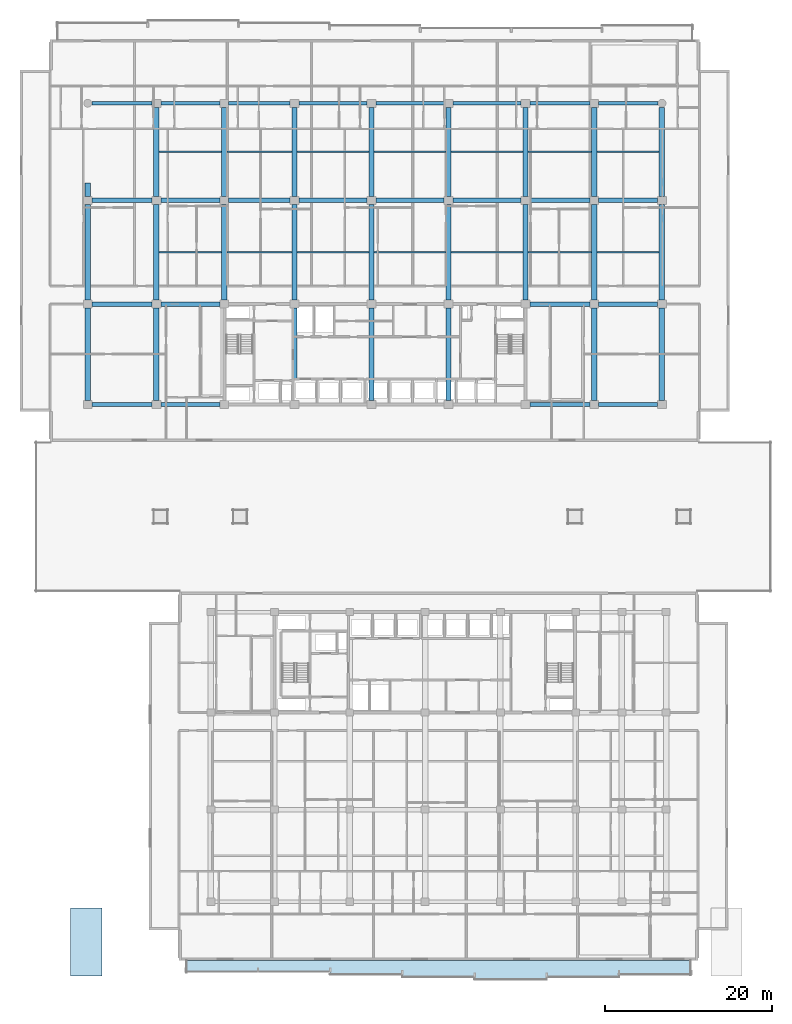
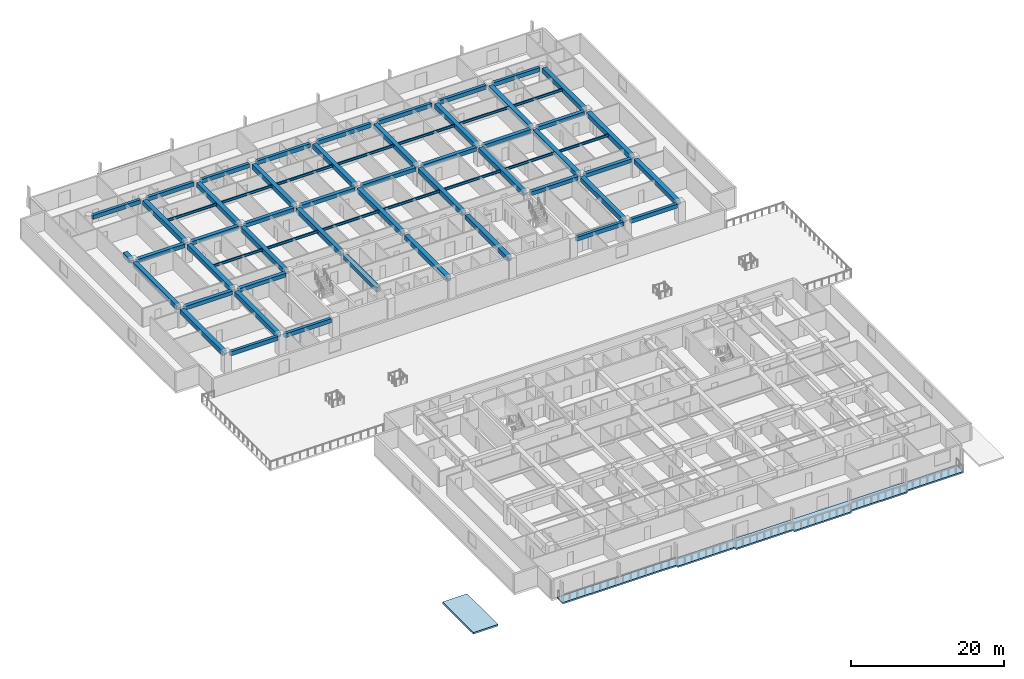
# One storey, part 2 of 24: 63 beams, 2 slabs.
"""IFC4 building model written with IfcOpenShell, lengths in metres."""

from ifc_helpers import new_model, si_unit, direction, frame, origin, origin_2d, place, context, subcontext, project, spatial, polyline, rectangle, i_section, outline, extrude, material, layer, layer_set, material_profile, profile_set, type_object, element, save


model = new_model("IFC4")

# Units and contexts
model_context = context("Model", 3, precision=1e-05, world=origin(), true_north=direction((0.0, 1.0)))
body_context = subcontext(model_context, "Body", "Model", "MODEL_VIEW")
ifc_project = project(units=[si_unit("LENGTHUNIT", "METRE"), si_unit("AREAUNIT", "SQUARE_METRE"), si_unit("VOLUMEUNIT", "CUBIC_METRE"), si_unit("PLANEANGLEUNIT", "RADIAN"), si_unit("MASSUNIT", "GRAM", prefix="KILO")], contexts=[model_context])

# Site, building, storey
site_placement = place(None, origin())
site = spatial("IfcSite", under=ifc_project, at=site_placement, CompositionType="ELEMENT")
building_placement = place(site_placement, origin())
building = spatial("IfcBuilding", under=site, at=building_placement, Name="Korimba Cascade Residences", CompositionType="ELEMENT")
storey_placement = place(building_placement, frame((0.0, 0.0, 24.0)))
storey = spatial("IfcBuildingStorey", under=building, at=storey_placement, Name="L05", CompositionType="ELEMENT", Elevation=24.0)

# Beams
ifc_material_1 = material(Name="Concrete C50/60", Category="concrete")
ifc_material_profile_1 = material_profile(ifc_material_1, rectangle(XDim=0.550048828125, YDim=0.60009765625, at=origin_2d()), Name="Concrete C50/60")
ifc_profile_set_1 = profile_set([ifc_material_profile_1], Name="Concrete C50/60")
beam_type_1 = type_object("IfcBeamType", Name="BM-RC-B600", PredefinedType="BEAM", material=ifc_profile_set_1)
beam_1_placement = place(storey_placement, frame((60.324951171875, 67.199951171875, 2.669921875), z_axis=(1.0, 0.0, 0.0), x_axis=(0.0, 1.0, 0.0)))
element("IfcBeam", 1, at=beam_1_placement, inside=storey, type_object=beam_type_1, Name="L05 T1 E-W Girder Y2 Bay 1", PredefinedType="BEAM", context=body_context, shape_type="SweptSolid", body=[
    extrude(rectangle(XDim=0.550048828125, YDim=0.60009765625, at=origin_2d()), origin(), (0.0, 0.0, 1.0), 7.150146484375),
])
beam_2_placement = place(storey_placement, frame((68.52490234375, 67.199951171875, 2.669921875), z_axis=(1.0, 0.0, 0.0), x_axis=(0.0, 1.0, 0.0)))
element("IfcBeam", 2, at=beam_2_placement, inside=storey, type_object=beam_type_1, Name="L05 T1 E-W Girder Y2 Bay 2", PredefinedType="BEAM", context=body_context, shape_type="SweptSolid", body=[
    extrude(rectangle(XDim=0.550048828125, YDim=0.60009765625, at=origin_2d()), origin(), (0.0, 0.0, 1.0), 7.050048828125),
])
beam_3_placement = place(storey_placement, frame((112.625, 67.199951171875, 2.669921875), z_axis=(1.0, 0.0, 0.0), x_axis=(0.0, 1.0, 0.0)))
element("IfcBeam", 3, at=beam_3_placement, inside=storey, type_object=beam_type_1, Name="L05 T1 E-W Girder Y2 Bay 7", PredefinedType="BEAM", context=body_context, shape_type="SweptSolid", body=[
    extrude(rectangle(XDim=0.550048828125, YDim=0.60009765625, at=origin_2d()), origin(), (0.0, 0.0, 1.0), 7.14990234375),
])
beam_4_placement = place(storey_placement, frame((120.824951171875, 67.199951171875, 2.669921875), z_axis=(1.0, 0.0, 0.0), x_axis=(0.0, 1.0, 0.0)))
element("IfcBeam", 4, at=beam_4_placement, inside=storey, type_object=beam_type_1, Name="L05 T1 E-W Girder Y2 Bay 8", PredefinedType="BEAM", context=body_context, shape_type="SweptSolid", body=[
    extrude(rectangle(XDim=0.550048828125, YDim=0.60009765625, at=origin_2d()), origin(), (0.0, 0.0, 1.0), 7.050048828125),
])
beam_5_placement = place(storey_placement, frame((60.324951171875, 79.60009765625, 2.669921875), z_axis=(1.0, 0.0, 0.0), x_axis=(0.0, 1.0, 0.0)))
element("IfcBeam", 5, at=beam_5_placement, inside=storey, type_object=beam_type_1, Name="L05 T1 E-W Girder Y3 Bay 1", PredefinedType="BEAM", context=body_context, shape_type="SweptSolid", body=[
    extrude(rectangle(XDim=0.550048828125, YDim=0.60009765625, at=origin_2d()), origin(), (0.0, 0.0, 1.0), 7.150146484375),
])
beam_6_placement = place(storey_placement, frame((68.52490234375, 79.60009765625, 2.669921875), z_axis=(1.0, 0.0, 0.0), x_axis=(0.0, 1.0, 0.0)))
element("IfcBeam", 6, at=beam_6_placement, inside=storey, type_object=beam_type_1, Name="L05 T1 E-W Girder Y3 Bay 2", PredefinedType="BEAM", context=body_context, shape_type="SweptSolid", body=[
    extrude(rectangle(XDim=0.550048828125, YDim=0.60009765625, at=origin_2d()), origin(), (0.0, 0.0, 1.0), 7.050048828125),
])
beam_7_placement = place(storey_placement, frame((76.625, 79.60009765625, 2.669921875), z_axis=(1.0, 0.0, 0.0), x_axis=(0.0, 1.0, 0.0)))
element("IfcBeam", 7, at=beam_7_placement, inside=storey, type_object=beam_type_1, Name="L05 T1 E-W Girder Y3 Bay 3", PredefinedType="BEAM", context=body_context, shape_type="SweptSolid", body=[
    extrude(rectangle(XDim=0.550048828125, YDim=0.60009765625, at=origin_2d()), origin(), (0.0, 0.0, 1.0), 7.35009765625),
])
beam_8_placement = place(storey_placement, frame((85.02490234375, 79.60009765625, 2.669921875), z_axis=(1.0, 0.0, 0.0), x_axis=(0.0, 1.0, 0.0)))
element("IfcBeam", 8, at=beam_8_placement, inside=storey, type_object=beam_type_1, Name="L05 T1 E-W Girder Y3 Bay 4", PredefinedType="BEAM", context=body_context, shape_type="SweptSolid", body=[
    extrude(rectangle(XDim=0.550048828125, YDim=0.60009765625, at=origin_2d()), origin(), (0.0, 0.0, 1.0), 8.150146484375),
])
for number, where, z_axis, x_axis, name in (
    (9, (94.22509765625, 79.60009765625, 2.669921875), (1.0, 0.0, 0.0), (0.0, 1.0, 0.0), "L05 T1 E-W Girder Y3 Bay 5"),
    (10, (103.425048828125, 79.60009765625, 2.669921875), (1.0, 0.0, 0.0), (0.0, 1.0, 0.0), "L05 T1 E-W Girder Y3 Bay 6"),
):
    element("IfcBeam", number, at=place(storey_placement, frame(where, z_axis=z_axis, x_axis=x_axis)), inside=storey, type_object=beam_type_1, Name=name, PredefinedType="BEAM", context=body_context, shape_type="SweptSolid", body=[
        extrude(rectangle(XDim=0.550048828125, YDim=0.60009765625, at=origin_2d()), origin(), (0.0, 0.0, 1.0), 8.14990234375),
    ])
beam_9_placement = place(storey_placement, frame((112.625, 79.60009765625, 2.669921875), z_axis=(1.0, 0.0, 0.0), x_axis=(0.0, 1.0, 0.0)))
element("IfcBeam", 11, at=beam_9_placement, inside=storey, type_object=beam_type_1, Name="L05 T1 E-W Girder Y3 Bay 7", PredefinedType="BEAM", context=body_context, shape_type="SweptSolid", body=[
    extrude(rectangle(XDim=0.550048828125, YDim=0.60009765625, at=origin_2d()), origin(), (0.0, 0.0, 1.0), 7.14990234375),
])
beam_10_placement = place(storey_placement, frame((120.824951171875, 79.60009765625, 2.669921875), z_axis=(1.0, 0.0, 0.0), x_axis=(0.0, 1.0, 0.0)))
element("IfcBeam", 12, at=beam_10_placement, inside=storey, type_object=beam_type_1, Name="L05 T1 E-W Girder Y3 Bay 8", PredefinedType="BEAM", context=body_context, shape_type="SweptSolid", body=[
    extrude(rectangle(XDim=0.550048828125, YDim=0.60009765625, at=origin_2d()), origin(), (0.0, 0.0, 1.0), 7.050048828125),
])
ifc_material_profile_2 = material_profile(ifc_material_1, rectangle(XDim=0.64990234375, YDim=0.75, at=origin_2d()), Name="Concrete C50/60")
ifc_profile_set_2 = profile_set([ifc_material_profile_2], Name="Concrete C50/60")
beam_type_2 = type_object("IfcBeamType", Name="BM-RC-G750", PredefinedType="BEAM", material=ifc_profile_set_2)
beam_11_placement = place(storey_placement, frame((59.800048828125, 55.675048828125, 2.594970703125), z_axis=(0.0, 1.0, 0.0), x_axis=(-1.0, 0.0, 0.0)))
element("IfcBeam", 13, at=beam_11_placement, inside=storey, type_object=beam_type_2, Name="L05 T1 N-S Girder X1 Seg 1", PredefinedType="BEAM", context=body_context, shape_type="SweptSolid", body=[
    extrude(rectangle(XDim=0.64990234375, YDim=0.75, at=origin_2d()), origin(), (0.0, 0.0, 1.0), 11.050048828125),
])
beam_12_placement = place(storey_placement, frame((59.800048828125, 67.675048828125, 2.594970703125), z_axis=(0.0, 1.0, 0.0), x_axis=(-1.0, 0.0, 0.0)))
element("IfcBeam", 14, at=beam_12_placement, inside=storey, type_object=beam_type_2, Name="L05 T1 N-S Girder X1 Seg 2", PredefinedType="BEAM", context=body_context, shape_type="SweptSolid", body=[
    extrude(rectangle(XDim=0.64990234375, YDim=0.75, at=origin_2d()), origin(), (0.0, 0.0, 1.0), 11.449951171875),
])
beam_13_placement = place(storey_placement, frame((59.800048828125, 80.074951171875, 2.594970703125), z_axis=(0.0, 1.0, 0.0), x_axis=(-1.0, 0.0, 0.0)))
element("IfcBeam", 15, at=beam_13_placement, inside=storey, type_object=beam_type_2, Name="L05 T1 N-S Girder X1 Seg 3", PredefinedType="BEAM", context=body_context, shape_type="SweptSolid", body=[
    extrude(rectangle(XDim=0.64990234375, YDim=0.75, at=origin_2d()), origin(), (0.0, 0.0, 1.0), 1.625),
])
beam_14_placement = place(storey_placement, frame((68.0, 55.675048828125, 2.594970703125), z_axis=(0.0, 1.0, 0.0), x_axis=(-1.0, 0.0, 0.0)))
element("IfcBeam", 16, at=beam_14_placement, inside=storey, type_object=beam_type_2, Name="L05 T1 N-S Girder X2 Seg 1", PredefinedType="BEAM", context=body_context, shape_type="SweptSolid", body=[
    extrude(rectangle(XDim=0.64990234375, YDim=0.75, at=origin_2d()), origin(), (0.0, 0.0, 1.0), 11.050048828125),
])
beam_15_placement = place(storey_placement, frame((68.0, 67.675048828125, 2.594970703125), z_axis=(0.0, 1.0, 0.0), x_axis=(-1.0, 0.0, 0.0)))
element("IfcBeam", 17, at=beam_15_placement, inside=storey, type_object=beam_type_2, Name="L05 T1 N-S Girder X2 Seg 2", PredefinedType="BEAM", context=body_context, shape_type="SweptSolid", body=[
    extrude(rectangle(XDim=0.64990234375, YDim=0.75, at=origin_2d()), origin(), (0.0, 0.0, 1.0), 11.449951171875),
])
beam_16_placement = place(storey_placement, frame((68.0, 80.074951171875, 2.594970703125), z_axis=(0.0, 1.0, 0.0), x_axis=(-1.0, 0.0, 0.0)))
element("IfcBeam", 18, at=beam_16_placement, inside=storey, type_object=beam_type_2, Name="L05 T1 N-S Girder X2 Seg 3", PredefinedType="BEAM", context=body_context, shape_type="SweptSolid", body=[
    extrude(rectangle(XDim=0.64990234375, YDim=0.75, at=origin_2d()), origin(), (0.0, 0.0, 1.0), 10.650146484375),
])
beam_17_placement = place(storey_placement, frame((76.10009765625, 67.675048828125, 2.594970703125), z_axis=(0.0, 1.0, 0.0), x_axis=(-1.0, 0.0, 0.0)))
element("IfcBeam", 19, at=beam_17_placement, inside=storey, type_object=beam_type_2, Name="L05 T1 N-S Girder X3 Seg 2", PredefinedType="BEAM", context=body_context, shape_type="SweptSolid", body=[
    extrude(rectangle(XDim=0.64990234375, YDim=0.75, at=origin_2d()), origin(), (0.0, 0.0, 1.0), 11.449951171875),
])
beam_18_placement = place(storey_placement, frame((76.10009765625, 80.074951171875, 2.594970703125), z_axis=(0.0, 1.0, 0.0), x_axis=(-1.0, 0.0, 0.0)))
element("IfcBeam", 20, at=beam_18_placement, inside=storey, type_object=beam_type_2, Name="L05 T1 N-S Girder X3 Seg 3", PredefinedType="BEAM", context=body_context, shape_type="SweptSolid", body=[
    extrude(rectangle(XDim=0.64990234375, YDim=0.75, at=origin_2d()), origin(), (0.0, 0.0, 1.0), 10.650146484375),
])
beam_19_placement = place(storey_placement, frame((84.5, 58.159912109375, 2.594970703125), z_axis=(0.0, 1.0, 0.0), x_axis=(-1.0, 0.0, 0.0)))
element("IfcBeam", 21, at=beam_19_placement, inside=storey, type_object=beam_type_2, Name="L05 T1 N-S Girder X4 Seg 1", PredefinedType="BEAM", context=body_context, shape_type="SweptSolid", body=[
    extrude(rectangle(XDim=0.64990234375, YDim=0.75, at=origin_2d()), origin(), (0.0, 0.0, 1.0), 8.565185546875),
])
beam_20_placement = place(storey_placement, frame((84.5, 67.675048828125, 2.594970703125), z_axis=(0.0, 1.0, 0.0), x_axis=(-1.0, 0.0, 0.0)))
element("IfcBeam", 22, at=beam_20_placement, inside=storey, type_object=beam_type_2, Name="L05 T1 N-S Girder X4 Seg 2", PredefinedType="BEAM", context=body_context, shape_type="SweptSolid", body=[
    extrude(rectangle(XDim=0.64990234375, YDim=0.75, at=origin_2d()), origin(), (0.0, 0.0, 1.0), 11.449951171875),
])
beam_21_placement = place(storey_placement, frame((84.5, 80.074951171875, 2.594970703125), z_axis=(0.0, 1.0, 0.0), x_axis=(-1.0, 0.0, 0.0)))
element("IfcBeam", 23, at=beam_21_placement, inside=storey, type_object=beam_type_2, Name="L05 T1 N-S Girder X4 Seg 3", PredefinedType="BEAM", context=body_context, shape_type="SweptSolid", body=[
    extrude(rectangle(XDim=0.64990234375, YDim=0.75, at=origin_2d()), origin(), (0.0, 0.0, 1.0), 10.650146484375),
])
beam_22_placement = place(storey_placement, frame((93.699951171875, 55.675048828125, 2.594970703125), z_axis=(0.0, 1.0, 0.0), x_axis=(-1.0, 0.0, 0.0)))
element("IfcBeam", 24, at=beam_22_placement, inside=storey, type_object=beam_type_2, Name="L05 T1 N-S Girder X5 Seg 1", PredefinedType="BEAM", context=body_context, shape_type="SweptSolid", body=[
    extrude(rectangle(XDim=0.64990234375, YDim=0.75, at=origin_2d()), origin(), (0.0, 0.0, 1.0), 11.050048828125),
])
beam_23_placement = place(storey_placement, frame((93.699951171875, 67.675048828125, 2.594970703125), z_axis=(0.0, 1.0, 0.0), x_axis=(-1.0, 0.0, 0.0)))
element("IfcBeam", 25, at=beam_23_placement, inside=storey, type_object=beam_type_2, Name="L05 T1 N-S Girder X5 Seg 2", PredefinedType="BEAM", context=body_context, shape_type="SweptSolid", body=[
    extrude(rectangle(XDim=0.64990234375, YDim=0.75, at=origin_2d()), origin(), (0.0, 0.0, 1.0), 11.449951171875),
])
beam_24_placement = place(storey_placement, frame((93.699951171875, 80.074951171875, 2.594970703125), z_axis=(0.0, 1.0, 0.0), x_axis=(-1.0, 0.0, 0.0)))
element("IfcBeam", 26, at=beam_24_placement, inside=storey, type_object=beam_type_2, Name="L05 T1 N-S Girder X5 Seg 3", PredefinedType="BEAM", context=body_context, shape_type="SweptSolid", body=[
    extrude(rectangle(XDim=0.64990234375, YDim=0.75, at=origin_2d()), origin(), (0.0, 0.0, 1.0), 10.650146484375),
])
beam_25_placement = place(storey_placement, frame((102.89990234375, 55.675048828125, 2.594970703125), z_axis=(0.0, 1.0, 0.0), x_axis=(-1.0, 0.0, 0.0)))
element("IfcBeam", 27, at=beam_25_placement, inside=storey, type_object=beam_type_2, Name="L05 T1 N-S Girder X6 Seg 1", PredefinedType="BEAM", context=body_context, shape_type="SweptSolid", body=[
    extrude(rectangle(XDim=0.64990234375, YDim=0.75, at=origin_2d()), origin(), (0.0, 0.0, 1.0), 11.050048828125),
])
beam_26_placement = place(storey_placement, frame((102.89990234375, 67.675048828125, 2.594970703125), z_axis=(0.0, 1.0, 0.0), x_axis=(-1.0, 0.0, 0.0)))
element("IfcBeam", 28, at=beam_26_placement, inside=storey, type_object=beam_type_2, Name="L05 T1 N-S Girder X6 Seg 2", PredefinedType="BEAM", context=body_context, shape_type="SweptSolid", body=[
    extrude(rectangle(XDim=0.64990234375, YDim=0.75, at=origin_2d()), origin(), (0.0, 0.0, 1.0), 11.449951171875),
])
beam_27_placement = place(storey_placement, frame((102.89990234375, 80.074951171875, 2.594970703125), z_axis=(0.0, 1.0, 0.0), x_axis=(-1.0, 0.0, 0.0)))
element("IfcBeam", 29, at=beam_27_placement, inside=storey, type_object=beam_type_2, Name="L05 T1 N-S Girder X6 Seg 3", PredefinedType="BEAM", context=body_context, shape_type="SweptSolid", body=[
    extrude(rectangle(XDim=0.64990234375, YDim=0.75, at=origin_2d()), origin(), (0.0, 0.0, 1.0), 10.650146484375),
])
beam_28_placement = place(storey_placement, frame((112.10009765625, 67.675048828125, 2.594970703125), z_axis=(0.0, 1.0, 0.0), x_axis=(-1.0, 0.0, 0.0)))
element("IfcBeam", 30, at=beam_28_placement, inside=storey, type_object=beam_type_2, Name="L05 T1 N-S Girder X7 Seg 2", PredefinedType="BEAM", context=body_context, shape_type="SweptSolid", body=[
    extrude(rectangle(XDim=0.64990234375, YDim=0.75, at=origin_2d()), origin(), (0.0, 0.0, 1.0), 11.449951171875),
])
beam_29_placement = place(storey_placement, frame((112.10009765625, 80.074951171875, 2.594970703125), z_axis=(0.0, 1.0, 0.0), x_axis=(-1.0, 0.0, 0.0)))
element("IfcBeam", 31, at=beam_29_placement, inside=storey, type_object=beam_type_2, Name="L05 T1 N-S Girder X7 Seg 3", PredefinedType="BEAM", context=body_context, shape_type="SweptSolid", body=[
    extrude(rectangle(XDim=0.64990234375, YDim=0.75, at=origin_2d()), origin(), (0.0, 0.0, 1.0), 10.650146484375),
])
beam_30_placement = place(storey_placement, frame((120.300048828125, 55.675048828125, 2.594970703125), z_axis=(0.0, 1.0, 0.0), x_axis=(-1.0, 0.0, 0.0)))
element("IfcBeam", 32, at=beam_30_placement, inside=storey, type_object=beam_type_2, Name="L05 T1 N-S Girder X8 Seg 1", PredefinedType="BEAM", context=body_context, shape_type="SweptSolid", body=[
    extrude(rectangle(XDim=0.64990234375, YDim=0.75, at=origin_2d()), origin(), (0.0, 0.0, 1.0), 11.050048828125),
])
beam_31_placement = place(storey_placement, frame((120.300048828125, 67.675048828125, 2.594970703125), z_axis=(0.0, 1.0, 0.0), x_axis=(-1.0, 0.0, 0.0)))
element("IfcBeam", 33, at=beam_31_placement, inside=storey, type_object=beam_type_2, Name="L05 T1 N-S Girder X8 Seg 2", PredefinedType="BEAM", context=body_context, shape_type="SweptSolid", body=[
    extrude(rectangle(XDim=0.64990234375, YDim=0.75, at=origin_2d()), origin(), (0.0, 0.0, 1.0), 11.449951171875),
])
beam_32_placement = place(storey_placement, frame((120.300048828125, 80.074951171875, 2.594970703125), z_axis=(0.0, 1.0, 0.0), x_axis=(-1.0, 0.0, 0.0)))
element("IfcBeam", 34, at=beam_32_placement, inside=storey, type_object=beam_type_2, Name="L05 T1 N-S Girder X8 Seg 3", PredefinedType="BEAM", context=body_context, shape_type="SweptSolid", body=[
    extrude(rectangle(XDim=0.64990234375, YDim=0.75, at=origin_2d()), origin(), (0.0, 0.0, 1.0), 10.650146484375),
])
beam_33_placement = place(storey_placement, frame((128.39990234375, 55.675048828125, 2.594970703125), z_axis=(0.0, 1.0, 0.0), x_axis=(-1.0, 0.0, 0.0)))
element("IfcBeam", 35, at=beam_33_placement, inside=storey, type_object=beam_type_2, Name="L05 T1 N-S Girder X9 Seg 1", PredefinedType="BEAM", context=body_context, shape_type="SweptSolid", body=[
    extrude(rectangle(XDim=0.64990234375, YDim=0.75, at=origin_2d()), origin(), (0.0, 0.0, 1.0), 11.050048828125),
])
beam_34_placement = place(storey_placement, frame((128.39990234375, 67.675048828125, 2.594970703125), z_axis=(0.0, 1.0, 0.0), x_axis=(-1.0, 0.0, 0.0)))
element("IfcBeam", 36, at=beam_34_placement, inside=storey, type_object=beam_type_2, Name="L05 T1 N-S Girder X9 Seg 2", PredefinedType="BEAM", context=body_context, shape_type="SweptSolid", body=[
    extrude(rectangle(XDim=0.64990234375, YDim=0.75, at=origin_2d()), origin(), (0.0, 0.0, 1.0), 11.449951171875),
])
beam_35_placement = place(storey_placement, frame((128.39990234375, 80.074951171875, 2.594970703125), z_axis=(0.0, 1.0, 0.0), x_axis=(-1.0, 0.0, 0.0)))
element("IfcBeam", 37, at=beam_35_placement, inside=storey, type_object=beam_type_2, Name="L05 T1 N-S Girder X9 Seg 3", PredefinedType="BEAM", context=body_context, shape_type="SweptSolid", body=[
    extrude(rectangle(XDim=0.64990234375, YDim=0.75, at=origin_2d()), origin(), (0.0, 0.0, 1.0), 10.650146484375),
])
ifc_material_2 = material(Name="Precast concrete C40/50", Category="concrete")
ifc_material_profile_3 = material_profile(ifc_material_2, rectangle(XDim=0.449951171875, YDim=0.64990234375, at=origin_2d()), Name="Precast concrete C40/50")
ifc_profile_set_3 = profile_set([ifc_material_profile_3], Name="Precast concrete C40/50")
beam_type_3 = type_object("IfcBeamType", Name="BM-RC-SP650", PredefinedType="SPANDREL", material=ifc_profile_set_3)
beam_36_placement = place(storey_placement, frame((60.324951171875, 55.199951171875, 2.64501953125), z_axis=(1.0, 0.0, 0.0), x_axis=(0.0, 1.0, 0.0)))
element("IfcBeam", 38, at=beam_36_placement, inside=storey, type_object=beam_type_3, Name="L05 T1 E-W Girder Y1 Bay 1", PredefinedType="SPANDREL", context=body_context, shape_type="SweptSolid", body=[
    extrude(rectangle(XDim=0.449951171875, YDim=0.64990234375, at=origin_2d()), origin(), (0.0, 0.0, 1.0), 7.150146484375),
])
beam_37_placement = place(storey_placement, frame((68.52490234375, 55.199951171875, 2.64501953125), z_axis=(1.0, 0.0, 0.0), x_axis=(0.0, 1.0, 0.0)))
element("IfcBeam", 39, at=beam_37_placement, inside=storey, type_object=beam_type_3, Name="L05 T1 E-W Girder Y1 Bay 2", PredefinedType="SPANDREL", context=body_context, shape_type="SweptSolid", body=[
    extrude(rectangle(XDim=0.449951171875, YDim=0.64990234375, at=origin_2d()), origin(), (0.0, 0.0, 1.0), 7.050048828125),
])
beam_38_placement = place(storey_placement, frame((112.625, 55.199951171875, 2.64501953125), z_axis=(1.0, 0.0, 0.0), x_axis=(0.0, 1.0, 0.0)))
element("IfcBeam", 40, at=beam_38_placement, inside=storey, type_object=beam_type_3, Name="L05 T1 E-W Girder Y1 Bay 7", PredefinedType="SPANDREL", context=body_context, shape_type="SweptSolid", body=[
    extrude(rectangle(XDim=0.449951171875, YDim=0.64990234375, at=origin_2d()), origin(), (0.0, 0.0, 1.0), 7.14990234375),
])
beam_39_placement = place(storey_placement, frame((120.824951171875, 55.199951171875, 2.64501953125), z_axis=(1.0, 0.0, 0.0), x_axis=(0.0, 1.0, 0.0)))
element("IfcBeam", 41, at=beam_39_placement, inside=storey, type_object=beam_type_3, Name="L05 T1 E-W Girder Y1 Bay 8", PredefinedType="SPANDREL", context=body_context, shape_type="SweptSolid", body=[
    extrude(rectangle(XDim=0.449951171875, YDim=0.64990234375, at=origin_2d()), origin(), (0.0, 0.0, 1.0), 7.050048828125),
])
beam_40_placement = place(storey_placement, frame((60.27490234375, 91.199951171875, 2.64501953125), z_axis=(1.0, 0.0, 0.0), x_axis=(0.0, 1.0, 0.0)))
element("IfcBeam", 42, at=beam_40_placement, inside=storey, type_object=beam_type_3, Name="L05 T1 E-W Girder Y4 Bay 1", PredefinedType="SPANDREL", context=body_context, shape_type="SweptSolid", body=[
    extrude(rectangle(XDim=0.449951171875, YDim=0.64990234375, at=origin_2d()), origin(), (0.0, 0.0, 1.0), 7.2001953125),
])
beam_41_placement = place(storey_placement, frame((68.52490234375, 91.199951171875, 2.64501953125), z_axis=(1.0, 0.0, 0.0), x_axis=(0.0, 1.0, 0.0)))
element("IfcBeam", 43, at=beam_41_placement, inside=storey, type_object=beam_type_3, Name="L05 T1 E-W Girder Y4 Bay 2", PredefinedType="SPANDREL", context=body_context, shape_type="SweptSolid", body=[
    extrude(rectangle(XDim=0.449951171875, YDim=0.64990234375, at=origin_2d()), origin(), (0.0, 0.0, 1.0), 7.050048828125),
])
beam_42_placement = place(storey_placement, frame((76.625, 91.199951171875, 2.64501953125), z_axis=(1.0, 0.0, 0.0), x_axis=(0.0, 1.0, 0.0)))
element("IfcBeam", 44, at=beam_42_placement, inside=storey, type_object=beam_type_3, Name="L05 T1 E-W Girder Y4 Bay 3", PredefinedType="SPANDREL", context=body_context, shape_type="SweptSolid", body=[
    extrude(rectangle(XDim=0.449951171875, YDim=0.64990234375, at=origin_2d()), origin(), (0.0, 0.0, 1.0), 7.35009765625),
])
beam_43_placement = place(storey_placement, frame((85.02490234375, 91.199951171875, 2.64501953125), z_axis=(1.0, 0.0, 0.0), x_axis=(0.0, 1.0, 0.0)))
element("IfcBeam", 45, at=beam_43_placement, inside=storey, type_object=beam_type_3, Name="L05 T1 E-W Girder Y4 Bay 4", PredefinedType="SPANDREL", context=body_context, shape_type="SweptSolid", body=[
    extrude(rectangle(XDim=0.449951171875, YDim=0.64990234375, at=origin_2d()), origin(), (0.0, 0.0, 1.0), 8.150146484375),
])
for number, where, z_axis, x_axis, name in (
    (46, (94.22509765625, 91.199951171875, 2.64501953125), (1.0, 0.0, 0.0), (0.0, 1.0, 0.0), "L05 T1 E-W Girder Y4 Bay 5"),
    (47, (103.425048828125, 91.199951171875, 2.64501953125), (1.0, 0.0, 0.0), (0.0, 1.0, 0.0), "L05 T1 E-W Girder Y4 Bay 6"),
):
    element("IfcBeam", number, at=place(storey_placement, frame(where, z_axis=z_axis, x_axis=x_axis)), inside=storey, type_object=beam_type_3, Name=name, PredefinedType="SPANDREL", context=body_context, shape_type="SweptSolid", body=[
        extrude(rectangle(XDim=0.449951171875, YDim=0.64990234375, at=origin_2d()), origin(), (0.0, 0.0, 1.0), 8.14990234375),
    ])
beam_44_placement = place(storey_placement, frame((112.625, 91.199951171875, 2.64501953125), z_axis=(1.0, 0.0, 0.0), x_axis=(0.0, 1.0, 0.0)))
element("IfcBeam", 48, at=beam_44_placement, inside=storey, type_object=beam_type_3, Name="L05 T1 E-W Girder Y4 Bay 7", PredefinedType="SPANDREL", context=body_context, shape_type="SweptSolid", body=[
    extrude(rectangle(XDim=0.449951171875, YDim=0.64990234375, at=origin_2d()), origin(), (0.0, 0.0, 1.0), 7.14990234375),
])
beam_45_placement = place(storey_placement, frame((120.824951171875, 91.199951171875, 2.64501953125), z_axis=(1.0, 0.0, 0.0), x_axis=(0.0, 1.0, 0.0)))
element("IfcBeam", 49, at=beam_45_placement, inside=storey, type_object=beam_type_3, Name="L05 T1 E-W Girder Y4 Bay 8", PredefinedType="SPANDREL", context=body_context, shape_type="SweptSolid", body=[
    extrude(rectangle(XDim=0.449951171875, YDim=0.64990234375, at=origin_2d()), origin(), (0.0, 0.0, 1.0), 7.10009765625),
])
ifc_material_3 = material(Name="Steel S355", Category="steel")
ifc_material_profile_4 = material_profile(ifc_material_3, i_section(OverallWidth=0.1787109375, OverallDepth=0.409423828125, WebThickness=0.0087890625, FlangeThickness=0.014404296875, FilletRadius=0.01025390625, at=origin_2d()), Name="Steel S355")
ifc_profile_set_4 = profile_set([ifc_material_profile_4], Name="Steel S355")
beam_type_4 = type_object("IfcBeamType", Name="BM-STL-UB406", PredefinedType="JOIST", material=ifc_profile_set_4)
beam_46_placement = place(storey_placement, frame((68.324951171875, 73.39990234375, 2.765380859375), z_axis=(1.0, 0.0, 0.0), x_axis=(0.0, 1.0, 0.0)))
element("IfcBeam", 50, at=beam_46_placement, inside=storey, type_object=beam_type_4, Name="L05 T1 Floor Joist 1.2", PredefinedType="JOIST", context=body_context, shape_type="SweptSolid", body=[
    extrude(i_section(OverallWidth=0.1787109375, OverallDepth=0.409423828125, WebThickness=0.0087890625, FlangeThickness=0.014404296875, FilletRadius=0.01025390625, at=origin_2d()), origin(), (0.0, 0.0, 1.0), 7.449951171875),
])
beam_47_placement = place(storey_placement, frame((76.425048828125, 73.39990234375, 2.765380859375), z_axis=(1.0, 0.0, 0.0), x_axis=(0.0, 1.0, 0.0)))
element("IfcBeam", 51, at=beam_47_placement, inside=storey, type_object=beam_type_4, Name="L05 T1 Floor Joist 1.3", PredefinedType="JOIST", context=body_context, shape_type="SweptSolid", body=[
    extrude(i_section(OverallWidth=0.1787109375, OverallDepth=0.409423828125, WebThickness=0.0087890625, FlangeThickness=0.014404296875, FilletRadius=0.01025390625, at=origin_2d()), origin(), (0.0, 0.0, 1.0), 7.75),
])
for number, where, z_axis, x_axis, name in (
    (52, (84.824951171875, 73.39990234375, 2.765380859375), (1.0, 0.0, 0.0), (0.0, 1.0, 0.0), "L05 T1 Floor Joist 1.4"),
    (53, (94.02490234375, 73.39990234375, 2.765380859375), (1.0, 0.0, 0.0), (0.0, 1.0, 0.0), "L05 T1 Floor Joist 1.5"),
):
    element("IfcBeam", number, at=place(storey_placement, frame(where, z_axis=z_axis, x_axis=x_axis)), inside=storey, type_object=beam_type_4, Name=name, PredefinedType="JOIST", context=body_context, shape_type="SweptSolid", body=[
        extrude(i_section(OverallWidth=0.1787109375, OverallDepth=0.409423828125, WebThickness=0.0087890625, FlangeThickness=0.014404296875, FilletRadius=0.01025390625, at=origin_2d()), origin(), (0.0, 0.0, 1.0), 8.550048828125),
    ])
beam_48_placement = place(storey_placement, frame((103.22509765625, 73.39990234375, 2.765380859375), z_axis=(1.0, 0.0, 0.0), x_axis=(0.0, 1.0, 0.0)))
element("IfcBeam", 54, at=beam_48_placement, inside=storey, type_object=beam_type_4, Name="L05 T1 Floor Joist 1.6", PredefinedType="JOIST", context=body_context, shape_type="SweptSolid", body=[
    extrude(i_section(OverallWidth=0.1787109375, OverallDepth=0.409423828125, WebThickness=0.0087890625, FlangeThickness=0.014404296875, FilletRadius=0.01025390625, at=origin_2d()), origin(), (0.0, 0.0, 1.0), 8.5498046875),
])
beam_49_placement = place(storey_placement, frame((112.425048828125, 73.39990234375, 2.765380859375), z_axis=(1.0, 0.0, 0.0), x_axis=(0.0, 1.0, 0.0)))
element("IfcBeam", 55, at=beam_49_placement, inside=storey, type_object=beam_type_4, Name="L05 T1 Floor Joist 1.7", PredefinedType="JOIST", context=body_context, shape_type="SweptSolid", body=[
    extrude(i_section(OverallWidth=0.1787109375, OverallDepth=0.409423828125, WebThickness=0.0087890625, FlangeThickness=0.014404296875, FilletRadius=0.01025390625, at=origin_2d()), origin(), (0.0, 0.0, 1.0), 7.550048828125),
])
for number, where, z_axis, x_axis, name in (
    (56, (120.625, 73.39990234375, 2.765380859375), (1.0, 0.0, 0.0), (0.0, 1.0, 0.0), "L05 T1 Floor Joist 1.8"),
    (57, (68.324951171875, 85.39990234375, 2.765380859375), (1.0, 0.0, 0.0), (0.0, 1.0, 0.0), "L05 T1 Floor Joist 2.2"),
):
    element("IfcBeam", number, at=place(storey_placement, frame(where, z_axis=z_axis, x_axis=x_axis)), inside=storey, type_object=beam_type_4, Name=name, PredefinedType="JOIST", context=body_context, shape_type="SweptSolid", body=[
        extrude(i_section(OverallWidth=0.1787109375, OverallDepth=0.409423828125, WebThickness=0.0087890625, FlangeThickness=0.014404296875, FilletRadius=0.01025390625, at=origin_2d()), origin(), (0.0, 0.0, 1.0), 7.449951171875),
    ])
beam_50_placement = place(storey_placement, frame((76.425048828125, 85.39990234375, 2.765380859375), z_axis=(1.0, 0.0, 0.0), x_axis=(0.0, 1.0, 0.0)))
element("IfcBeam", 58, at=beam_50_placement, inside=storey, type_object=beam_type_4, Name="L05 T1 Floor Joist 2.3", PredefinedType="JOIST", context=body_context, shape_type="SweptSolid", body=[
    extrude(i_section(OverallWidth=0.1787109375, OverallDepth=0.409423828125, WebThickness=0.0087890625, FlangeThickness=0.014404296875, FilletRadius=0.01025390625, at=origin_2d()), origin(), (0.0, 0.0, 1.0), 7.75),
])
for number, where, z_axis, x_axis, name in (
    (59, (84.824951171875, 85.39990234375, 2.765380859375), (1.0, 0.0, 0.0), (0.0, 1.0, 0.0), "L05 T1 Floor Joist 2.4"),
    (60, (94.02490234375, 85.39990234375, 2.765380859375), (1.0, 0.0, 0.0), (0.0, 1.0, 0.0), "L05 T1 Floor Joist 2.5"),
):
    element("IfcBeam", number, at=place(storey_placement, frame(where, z_axis=z_axis, x_axis=x_axis)), inside=storey, type_object=beam_type_4, Name=name, PredefinedType="JOIST", context=body_context, shape_type="SweptSolid", body=[
        extrude(i_section(OverallWidth=0.1787109375, OverallDepth=0.409423828125, WebThickness=0.0087890625, FlangeThickness=0.014404296875, FilletRadius=0.01025390625, at=origin_2d()), origin(), (0.0, 0.0, 1.0), 8.550048828125),
    ])
beam_51_placement = place(storey_placement, frame((103.22509765625, 85.39990234375, 2.765380859375), z_axis=(1.0, 0.0, 0.0), x_axis=(0.0, 1.0, 0.0)))
element("IfcBeam", 61, at=beam_51_placement, inside=storey, type_object=beam_type_4, Name="L05 T1 Floor Joist 2.6", PredefinedType="JOIST", context=body_context, shape_type="SweptSolid", body=[
    extrude(i_section(OverallWidth=0.1787109375, OverallDepth=0.409423828125, WebThickness=0.0087890625, FlangeThickness=0.014404296875, FilletRadius=0.01025390625, at=origin_2d()), origin(), (0.0, 0.0, 1.0), 8.5498046875),
])
beam_52_placement = place(storey_placement, frame((112.425048828125, 85.39990234375, 2.765380859375), z_axis=(1.0, 0.0, 0.0), x_axis=(0.0, 1.0, 0.0)))
element("IfcBeam", 62, at=beam_52_placement, inside=storey, type_object=beam_type_4, Name="L05 T1 Floor Joist 2.7", PredefinedType="JOIST", context=body_context, shape_type="SweptSolid", body=[
    extrude(i_section(OverallWidth=0.1787109375, OverallDepth=0.409423828125, WebThickness=0.0087890625, FlangeThickness=0.014404296875, FilletRadius=0.01025390625, at=origin_2d()), origin(), (0.0, 0.0, 1.0), 7.550048828125),
])
beam_53_placement = place(storey_placement, frame((120.625, 85.39990234375, 2.765380859375), z_axis=(1.0, 0.0, 0.0), x_axis=(0.0, 1.0, 0.0)))
element("IfcBeam", 63, at=beam_53_placement, inside=storey, type_object=beam_type_4, Name="L05 T1 Floor Joist 2.8", PredefinedType="JOIST", context=body_context, shape_type="SweptSolid", body=[
    extrude(i_section(OverallWidth=0.1787109375, OverallDepth=0.409423828125, WebThickness=0.0087890625, FlangeThickness=0.014404296875, FilletRadius=0.01025390625, at=origin_2d()), origin(), (0.0, 0.0, 1.0), 7.449951171875),
])

# Slabs
ifc_layer_1 = layer(ifc_material_2, 0.239990234375)
ifc_layer_set_1 = layer_set([ifc_layer_1], Name="Precast concrete C40/50")
slab_type_1 = type_object("IfcSlabType", Name="SLB-LOG-240", PredefinedType="FLOOR", material=ifc_layer_set_1)
slab_1_placement = place(storey_placement, frame((0.0, 0.0, -0.239990234375)))
element("IfcSlab", 64, at=slab_1_placement, inside=storey, type_object=slab_type_1, Name="L05 Tower 2 South Loggia Slab", PredefinedType="FLOOR", context=body_context, shape_type="SweptSolid", body=[
    extrude(outline(polyline([(71.5, -12.64990234375), (88.757080078125, -12.64990234375), (88.757080078125, -12.949951171875), (97.3857421875, -12.949951171875), (97.3857421875, -13.25), (106.014404296875, -13.25), (106.014404296875, -13.550048828125), (114.642822265625, -13.550048828125), (114.642822265625, -13.25), (123.271484375, -13.25), (123.271484375, -12.949951171875), (131.89990234375, -12.949951171875), (131.89990234375, -11.199951171875), (71.5, -11.199951171875), (71.5, -12.64990234375)])), origin(), (0.0, 0.0, 1.0), 0.239990234375),
])
ifc_layer_2 = layer(ifc_material_1, 0.27001953125)
ifc_layer_set_2 = layer_set([ifc_layer_2], Name="Concrete C50/60")
slab_type_2 = type_object("IfcSlabType", Name="SLB-ROOF-270", PredefinedType="ROOF", material=ifc_layer_set_2)
slab_2_placement = place(storey_placement, origin())
element("IfcSlab", 65, at=slab_2_placement, inside=storey, type_object=slab_type_2, Name="L05 Podium South-West Exit Stair ST-P3 Roof Slab", PredefinedType="ROOF", context=body_context, shape_type="SweptSolid", body=[
    extrude(outline(polyline([(57.75, -13.050048828125), (61.489990234375, -13.050048828125), (61.489990234375, -4.949951171875), (57.75, -4.949951171875), (57.75, -13.050048828125)])), origin(), (0.0, 0.0, 1.0), 0.27001953125),
])

save(model, "model.ifc")
